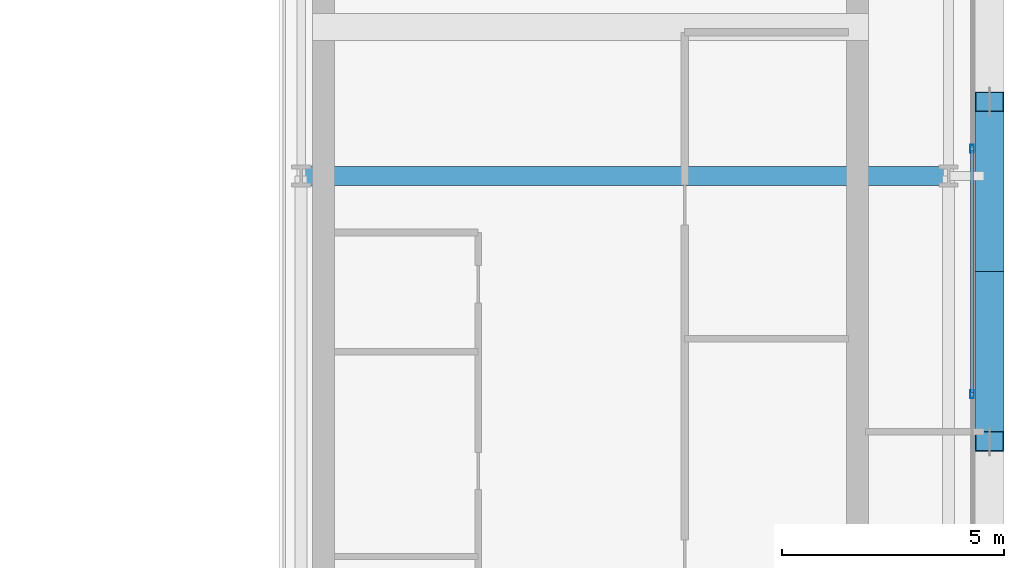
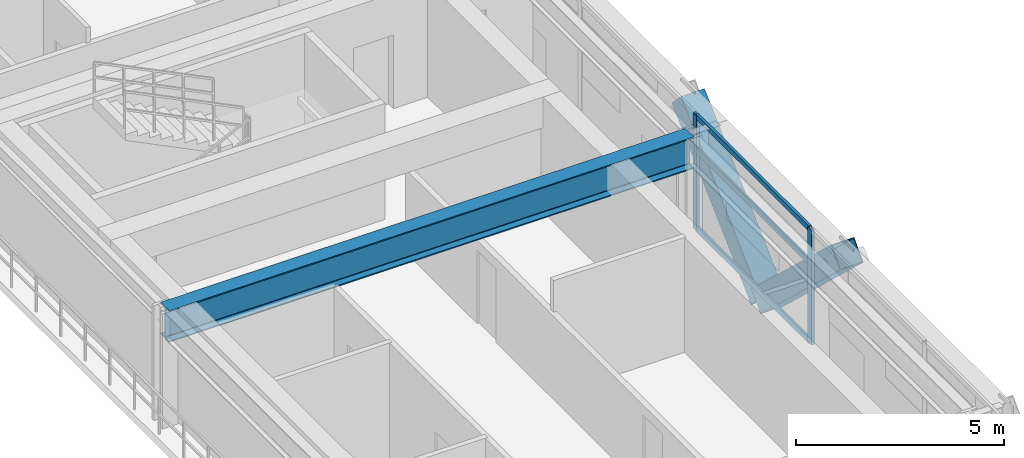
# One storey, part 13 of 31: 7 members, 1 beam, 1 element without a shape of its own.
"""IFC4 building model written with IfcOpenShell, lengths in metres."""

from ifc_helpers import new_model, si_unit, direction, frame, origin, origin_2d, place, context, subcontext, project, spatial, hollow_rectangle, i_section, extrude, source, transform, mapped, material, layer, layer_set, material_profile, profile_set, type_object, element, aggregate, save


model = new_model("IFC4")

# Units and contexts
model_context = context("Model", 3, precision=1e-05, world=origin(), true_north=direction((0.0, 1.0)))
body_context = subcontext(model_context, "Body", "Model", "MODEL_VIEW")
ifc_project = project(units=[si_unit("LENGTHUNIT", "METRE"), si_unit("AREAUNIT", "SQUARE_METRE"), si_unit("VOLUMEUNIT", "CUBIC_METRE"), si_unit("PLANEANGLEUNIT", "RADIAN"), si_unit("MASSUNIT", "GRAM", prefix="KILO")], contexts=[model_context])

# Site, building, storey
site_placement = place(None, origin())
site = spatial("IfcSite", under=ifc_project, at=site_placement, CompositionType="ELEMENT")
building_placement = place(site_placement, origin())
building = spatial("IfcBuilding", under=site, at=building_placement, Name="Ocotamira Hotel", CompositionType="ELEMENT")
storey_placement = place(building_placement, frame((0.0, 0.0, 199.199951171875)))
storey = spatial("IfcBuildingStorey", under=building, at=storey_placement, Name="L50", CompositionType="ELEMENT", Elevation=199.199951171875)

# Beam
ifc_material_1 = material(Name="Steel ASTM A992 Grade 50", Category="steel")
ifc_material_profile_1 = material_profile(ifc_material_1, i_section(OverallWidth=0.41796875, OverallDepth=0.927001953125, WebThickness=0.019287109375, FlangeThickness=0.031982421875, FilletRadius=0.02392578125, at=origin_2d()), Name="W36X231")
ifc_profile_set_1 = profile_set([ifc_material_profile_1], Name="Steel ASTM A992 Grade 50")
beam_type = type_object("IfcBeamType", Name="BM-GIRD-W36X231", PredefinedType="BEAM", material=ifc_profile_set_1)
shared_shape_1 = source(origin(), body_context, "Body", "SweptSolid", [
    extrude(i_section(OverallWidth=0.41796875, OverallDepth=0.927001953125, WebThickness=0.019287109375, FlangeThickness=0.031982421875, FilletRadius=0.02392578125, at=origin_2d()), origin(), (0.0, 0.0, 1.0), 14.550048828125),
])
beam_placement = place(storey_placement, frame((40.5, 28.14990234375, 2.906494140625), z_axis=(1.0, 0.0, 0.0), x_axis=(0.0, 1.0, 0.0)))
element("IfcBeam", 1, at=beam_placement, inside=storey, type_object=beam_type, Name="L50 Girder Y28.15 X40.5-55.05", PredefinedType="BEAM", context=body_context, shape_type="MappedRepresentation", body=[
    mapped(shared_shape_1, transform((0.0, 0.0, 0.0), scale=1.0)),
])

# Members
ifc_material_2 = material(Name="Pale-metal coated steel ASTM A913 Grade 65", Category="steel")
ifc_material_profile_2 = material_profile(ifc_material_2, hollow_rectangle(XDim=0.64990234375, YDim=0.64990234375, WallThickness=0.02197265625, at=origin_2d()), Name="BOX650X650X22")
ifc_profile_set_2 = profile_set([ifc_material_profile_2], Name="Pale-metal coated steel ASTM A913 Grade 65")
member_type_1 = type_object("IfcMemberType", Name="MEM-EXO-BOX650", PredefinedType="BRACE", material=ifc_profile_set_2)
shared_shape_2 = source(origin(), body_context, "Body", "SweptSolid", [
    extrude(hollow_rectangle(XDim=0.64990234375, YDim=0.64990234375, WallThickness=0.02197265625, at=origin_2d()), origin(), (0.0, 0.0, 1.0), 5.24658203125),
])
for number, where, z_axis, x_axis, name in (
    (2, (55.969970703125, 26.0, -0.47998046875), (0.0, -0.727442733726, 0.686168397078), (1.0, 0.0, 0.0), "L50 Exoskeleton Diagrid E1.1"),
    (3, (55.969970703125, 26.0, -0.47998046875), (0.0, 0.727442733726, 0.686168397078), (-1.0, 0.0, 0.0), "L50 Exoskeleton Diagrid E1.2"),
):
    element("IfcMember", number, at=place(storey_placement, frame(where, z_axis=z_axis, x_axis=x_axis)), inside=storey, type_object=member_type_1, Name=name, PredefinedType="BRACE", context=body_context, shape_type="MappedRepresentation", body=[
        mapped(shared_shape_2, transform((0.0, 0.0, 0.0), scale=1.0)),
    ])

# Curtain wall, members
ifc_material_3 = material(Name="Anodised pale-metal aluminium and solar glass", Category="aluminium")
ifc_layer = layer(ifc_material_3, 0.199951171875)
ifc_layer_set = layer_set([ifc_layer], Name="Anodised pale-metal aluminium and solar glass")
curtain_wall_type = type_object("IfcCurtainWallType", Name="CW-SYS4-Z3", PredefinedType="NOTDEFINED", material=ifc_layer_set)
curtain_wall_placement = place(storey_placement, origin())
curtain_wall = element("IfcCurtainWall", 4, at=curtain_wall_placement, inside=storey, type_object=curtain_wall_type, Name="L50 Curtain Wall CW-4 CW-L50-E", PredefinedType="NOTDEFINED")
ifc_material_4 = material(Name="Anodised pale-metal aluminium 6063-T6", Category="aluminium")
ifc_material_profile_3 = material_profile(ifc_material_4, hollow_rectangle(XDim=0.080078125, YDim=0.179931640625, WallThickness=0.006103515625, at=origin_2d()), Name="HSS180X80X6")
ifc_profile_set_3 = profile_set([ifc_material_profile_3], Name="Anodised pale-metal aluminium 6063-T6")
member_type_2 = type_object("IfcMemberType", Name="CWM-180X75", PredefinedType="MULLION", material=ifc_profile_set_3)
shared_shape_3 = source(origin(), body_context, "Body", "SweptSolid", [
    extrude(hollow_rectangle(XDim=0.080078125, YDim=0.179931640625, WallThickness=0.006103515625, at=origin_2d()), origin(), (0.0, 0.0, 1.0), 3.3701171875),
])
member_1_placement = place(storey_placement, frame((55.580078125, 23.239990234375, 0.0), z_axis=(0.0, 0.0, 1.0), x_axis=(-1.0, 0.0, 0.0)))
member_1 = element("IfcMember", 5, at=member_1_placement, type_object=member_type_2, Name="CW-4 mullion 3", PredefinedType="MULLION", context=body_context, shape_type="MappedRepresentation", body=[
    mapped(shared_shape_3, transform((0.0, 0.0, 0.0), scale=1.0)),
])
member_2_placement = place(storey_placement, frame((55.580078125, 28.760009765625, 0.0), z_axis=(0.0, 0.0, 1.0), x_axis=(-1.0, 0.0, 0.0)))
member_2 = element("IfcMember", 6, at=member_2_placement, type_object=member_type_2, Name="CW-4 mullion 4", PredefinedType="MULLION", context=body_context, shape_type="MappedRepresentation", body=[
    mapped(shared_shape_3, transform((0.0, 0.0, 0.0), scale=1.0)),
])
ifc_material_profile_4 = material_profile(ifc_material_4, hollow_rectangle(XDim=0.074951171875, YDim=0.14990234375, WallThickness=0.006103515625, at=origin_2d()), Name="HSS150X75X6")
ifc_profile_set_4 = profile_set([ifc_material_profile_4], Name="Anodised pale-metal aluminium 6063-T6")
member_type_3 = type_object("IfcMemberType", Name="CWT-150X75", PredefinedType="USERDEFINED", material=ifc_profile_set_4)
shared_shape_4 = source(origin(), body_context, "Body", "SweptSolid", [
    extrude(hollow_rectangle(XDim=0.074951171875, YDim=0.14990234375, WallThickness=0.006103515625, at=origin_2d()), origin(), (0.0, 0.0, 1.0), 5.43994140625),
])
member_3_placement = place(storey_placement, frame((55.580078125, 23.280029296875, 0.03759765625), z_axis=(0.0, 1.0, 0.0), x_axis=(-1.0, 0.0, 0.0)))
member_3 = element("IfcMember", 7, at=member_3_placement, type_object=member_type_3, Name="CW-4 transom 3.1", ObjectType="TRANSOM", PredefinedType="USERDEFINED", context=body_context, shape_type="MappedRepresentation", body=[
    mapped(shared_shape_4, transform((0.0, 0.0, 0.0), scale=1.0)),
])
member_4_placement = place(storey_placement, frame((55.580078125, 23.280029296875, 2.35009765625), z_axis=(0.0, 1.0, 0.0), x_axis=(-1.0, 0.0, 0.0)))
member_4 = element("IfcMember", 8, at=member_4_placement, type_object=member_type_3, Name="CW-4 transom 3.2", ObjectType="TRANSOM", PredefinedType="USERDEFINED", context=body_context, shape_type="MappedRepresentation", body=[
    mapped(shared_shape_4, transform((0.0, 0.0, 0.0), scale=1.0)),
])
member_5_placement = place(storey_placement, frame((55.580078125, 23.280029296875, 3.33251953125), z_axis=(0.0, 1.0, 0.0), x_axis=(-1.0, 0.0, 0.0)))
member_5 = element("IfcMember", 9, at=member_5_placement, type_object=member_type_3, Name="CW-4 transom 3.3", ObjectType="TRANSOM", PredefinedType="USERDEFINED", context=body_context, shape_type="MappedRepresentation", body=[
    mapped(shared_shape_4, transform((0.0, 0.0, 0.0), scale=1.0)),
])
aggregate(curtain_wall, [member_1, member_2, member_3, member_4, member_5])

save(model, "model.ifc")
